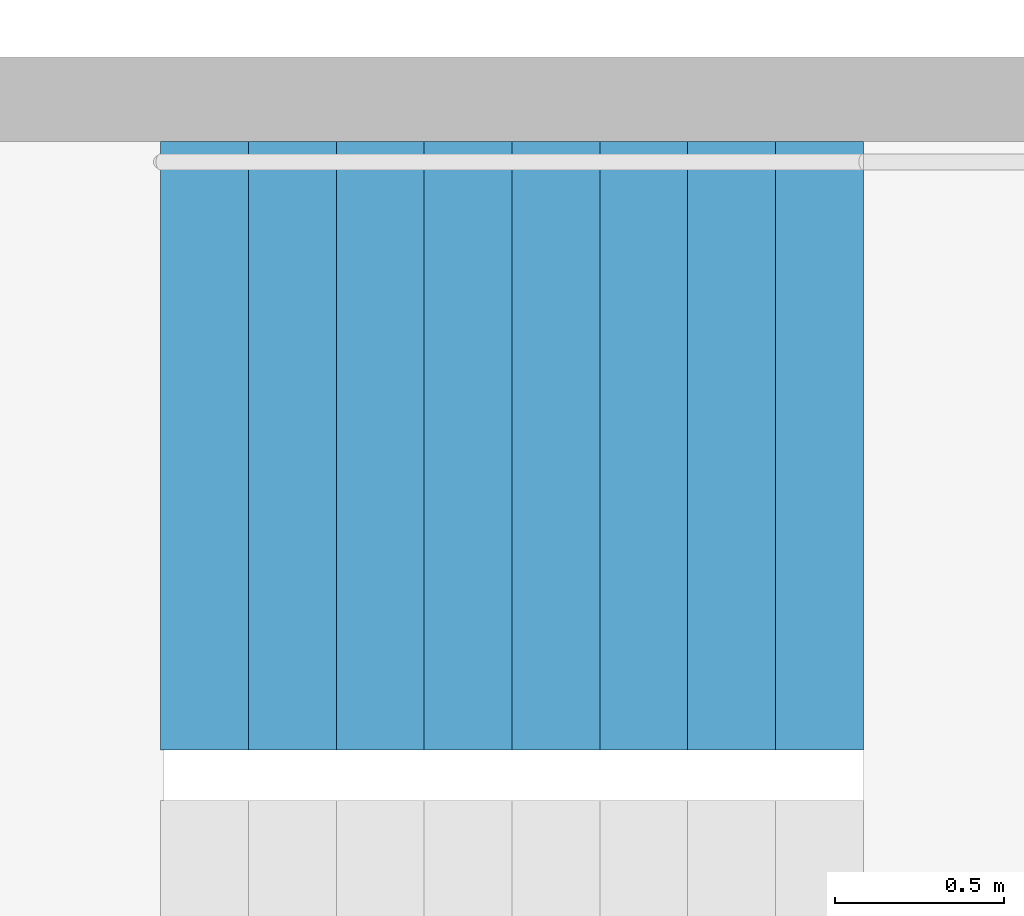
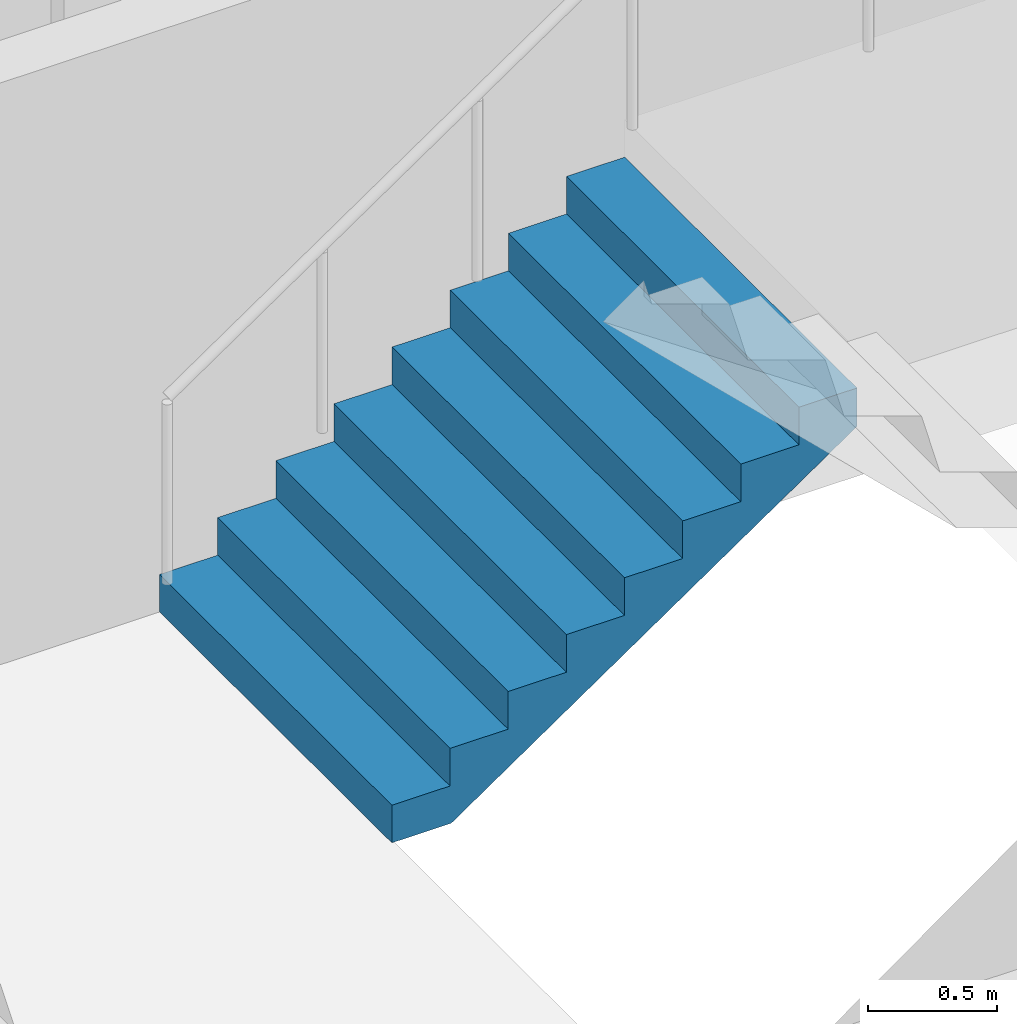
# One storey, part 23 of 26: 1 stair flight, 1 element without a shape of its own.
"""IFC4 building model written with IfcOpenShell, lengths in metres."""

from ifc_helpers import new_model, si_unit, direction, frame, origin, place, context, subcontext, project, spatial, triangles, material, type_object, element, aggregate, save


model = new_model("IFC4")

# Units and contexts
model_context = context("Model", 3, precision=1e-05, world=origin(), true_north=direction((0.0, 1.0)))
body_context = subcontext(model_context, "Body", "Model", "MODEL_VIEW")
ifc_project = project(units=[si_unit("LENGTHUNIT", "METRE"), si_unit("AREAUNIT", "SQUARE_METRE"), si_unit("VOLUMEUNIT", "CUBIC_METRE"), si_unit("PLANEANGLEUNIT", "RADIAN"), si_unit("MASSUNIT", "GRAM", prefix="KILO")], contexts=[model_context])

# Site, building, storey
site_placement = place(None, origin())
site = spatial("IfcSite", under=ifc_project, at=site_placement, CompositionType="ELEMENT")
building_placement = place(site_placement, origin())
building = spatial("IfcBuilding", under=site, at=building_placement, Name="Hakoniwa Tower and Hamabe Station Hall", CompositionType="ELEMENT")
storey_placement = place(building_placement, frame((0.0, 0.0, 131.0)))
storey = spatial("IfcBuildingStorey", under=building, at=storey_placement, Name="L36", CompositionType="ELEMENT", Elevation=131.0)

# Stair, stair flight
ifc_material_1 = material(Name="Concrete C40", Category="concrete")
stair_type = type_object("IfcStairType", Name="ESCAPE STAIR 1800", PredefinedType="HALF_TURN_STAIR", material=ifc_material_1)
stair_placement = place(storey_placement, origin())
stair = element("IfcStair", 1, at=stair_placement, inside=storey, type_object=stair_type, Name="Escape stair ST-4 L36", PredefinedType="HALF_TURN_STAIR")
ifc_material_2 = material(Name="Concrete C40", Category="concrete")
stair_flight_type = type_object("IfcStairFlightType", Name="STAIR FLIGHT 1800", PredefinedType="STRAIGHT", material=ifc_material_2)
stair_flight_placement = place(storey_placement, frame((23.39990234375, -4.64990234375, 0.0), z_axis=(0.0, 0.0, 1.0), x_axis=(1.0, 0.0, 0.0)))
stair_flight = element("IfcStairFlight", 2, at=stair_flight_placement, type_object=stair_flight_type, Name="ST-4 flight 1", NumberOfRisers=9, NumberOfTreads=8, PredefinedType="STRAIGHT", RiserHeight=0.177777778, TreadLength=0.26, context=body_context, shape_type="Tessellation", body=[
    triangles([(0.0, 0.89990234375, 0.0), (0.260009765625, 0.89990234375, 0.0), (0.265625, 0.89990234375, 0.0), (0.52001953125, 0.89990234375, 0.174072265625), (0.780029296875, 0.89990234375, 0.351806640625), (1.0400390625, 0.89990234375, 0.529541015625), (1.300048828125, 0.89990234375, 0.707275390625), (1.56005859375, 0.89990234375, 0.885009765625), (1.820068359375, 0.89990234375, 1.062744140625), (2.080078125, 0.89990234375, 1.24072265625), (2.080078125, 0.89990234375, 1.422119140625), (1.820068359375, 0.89990234375, 1.422119140625), (1.820068359375, 0.89990234375, 1.244384765625), (1.56005859375, 0.89990234375, 1.244384765625), (1.56005859375, 0.89990234375, 1.066650390625), (1.300048828125, 0.89990234375, 1.066650390625), (1.300048828125, 0.89990234375, 0.888916015625), (1.0400390625, 0.89990234375, 0.888916015625), (1.0400390625, 0.89990234375, 0.711181640625), (0.780029296875, 0.89990234375, 0.711181640625), (0.780029296875, 0.89990234375, 0.533447265625), (0.52001953125, 0.89990234375, 0.533447265625), (0.52001953125, 0.89990234375, 0.35546875), (0.265625, 0.89990234375, 0.35546875), (0.260009765625, 0.89990234375, 0.35546875), (0.260009765625, 0.89990234375, 0.177734375), (0.0, 0.89990234375, 0.177734375), (0.0, 0.06005859375, 0.0), (0.260009765625, 0.06005859375, 0.0), (0.265625, 0.06005859375, 0.0), (0.52001953125, 0.06005859375, 0.174072265625), (0.780029296875, 0.06005859375, 0.351806640625), (1.0400390625, 0.06005859375, 0.529541015625), (1.300048828125, 0.06005859375, 0.707275390625), (1.56005859375, 0.06005859375, 0.885009765625), (1.820068359375, 0.06005859375, 1.062744140625), (2.080078125, 0.06005859375, 1.24072265625), (2.080078125, 0.06005859375, 1.422119140625), (1.820068359375, 0.06005859375, 1.422119140625), (1.820068359375, 0.06005859375, 1.244384765625), (1.56005859375, 0.06005859375, 1.244384765625), (1.56005859375, 0.06005859375, 1.066650390625), (1.300048828125, 0.06005859375, 1.066650390625), (1.300048828125, 0.06005859375, 0.888916015625), (1.0400390625, 0.06005859375, 0.888916015625), (1.0400390625, 0.06005859375, 0.711181640625), (0.780029296875, 0.06005859375, 0.711181640625), (0.780029296875, 0.06005859375, 0.533447265625), (0.52001953125, 0.06005859375, 0.533447265625), (0.52001953125, 0.06005859375, 0.35546875), (0.265625, 0.06005859375, 0.35546875), (0.260009765625, 0.06005859375, 0.35546875), (0.260009765625, 0.06005859375, 0.177734375), (0.0, 0.06005859375, 0.177734375), (0.0, 0.04296875, 0.0), (0.260009765625, 0.04296875, 0.0), (0.265625, 0.04296875, 0.0), (0.52001953125, 0.04296875, 0.174072265625), (0.780029296875, 0.04296875, 0.351806640625), (1.0400390625, 0.04296875, 0.529541015625), (1.300048828125, 0.04296875, 0.707275390625), (1.56005859375, 0.04296875, 0.885009765625), (1.820068359375, 0.04296875, 1.062744140625), (2.080078125, 0.04296875, 1.24072265625), (2.080078125, 0.04296875, 1.422119140625), (1.820068359375, 0.04296875, 1.422119140625), (1.820068359375, 0.04296875, 1.244384765625), (1.56005859375, 0.04296875, 1.244384765625), (1.56005859375, 0.04296875, 1.066650390625), (1.300048828125, 0.04296875, 1.066650390625), (1.300048828125, 0.04296875, 0.888916015625), (1.0400390625, 0.04296875, 0.888916015625), (1.0400390625, 0.04296875, 0.711181640625), (0.780029296875, 0.04296875, 0.711181640625), (0.780029296875, 0.04296875, 0.533447265625), (0.52001953125, 0.04296875, 0.533447265625), (0.52001953125, 0.04296875, 0.35546875), (0.265625, 0.04296875, 0.35546875), (0.260009765625, 0.04296875, 0.35546875), (0.260009765625, 0.04296875, 0.177734375), (0.0, 0.04296875, 0.177734375), (0.0, 0.025634765625, 0.0), (0.260009765625, 0.025634765625, 0.0), (0.265625, 0.025634765625, 0.0), (0.52001953125, 0.025634765625, 0.174072265625), (0.780029296875, 0.025634765625, 0.351806640625), (1.0400390625, 0.025634765625, 0.529541015625), (1.300048828125, 0.025634765625, 0.707275390625), (1.56005859375, 0.025634765625, 0.885009765625), (1.820068359375, 0.025634765625, 1.062744140625), (2.080078125, 0.025634765625, 1.24072265625), (2.080078125, 0.025634765625, 1.422119140625), (1.820068359375, 0.025634765625, 1.422119140625), (1.820068359375, 0.025634765625, 1.244384765625), (1.56005859375, 0.025634765625, 1.244384765625), (1.56005859375, 0.025634765625, 1.066650390625), (1.300048828125, 0.025634765625, 1.066650390625), (1.300048828125, 0.025634765625, 0.888916015625), (1.0400390625, 0.025634765625, 0.888916015625), (1.0400390625, 0.025634765625, 0.711181640625), (0.780029296875, 0.025634765625, 0.711181640625), (0.780029296875, 0.025634765625, 0.533447265625), (0.52001953125, 0.025634765625, 0.533447265625), (0.52001953125, 0.025634765625, 0.35546875), (0.265625, 0.025634765625, 0.35546875), (0.260009765625, 0.025634765625, 0.35546875), (0.260009765625, 0.025634765625, 0.177734375), (0.0, 0.025634765625, 0.177734375), (0.0, 0.008544921875, 0.0), (0.260009765625, 0.008544921875, 0.0), (0.265625, 0.008544921875, 0.0), (0.52001953125, 0.008544921875, 0.174072265625), (0.780029296875, 0.008544921875, 0.351806640625), (1.0400390625, 0.008544921875, 0.529541015625), (1.300048828125, 0.008544921875, 0.707275390625), (1.56005859375, 0.008544921875, 0.885009765625), (1.820068359375, 0.008544921875, 1.062744140625), (2.080078125, 0.008544921875, 1.24072265625), (2.080078125, 0.008544921875, 1.422119140625), (1.820068359375, 0.008544921875, 1.422119140625), (1.820068359375, 0.008544921875, 1.244384765625), (1.56005859375, 0.008544921875, 1.244384765625), (1.56005859375, 0.008544921875, 1.066650390625), (1.300048828125, 0.008544921875, 1.066650390625), (1.300048828125, 0.008544921875, 0.888916015625), (1.0400390625, 0.008544921875, 0.888916015625), (1.0400390625, 0.008544921875, 0.711181640625), (0.780029296875, 0.008544921875, 0.711181640625), (0.780029296875, 0.008544921875, 0.533447265625), (0.52001953125, 0.008544921875, 0.533447265625), (0.52001953125, 0.008544921875, 0.35546875), (0.265625, 0.008544921875, 0.35546875), (0.260009765625, 0.008544921875, 0.35546875), (0.260009765625, 0.008544921875, 0.177734375), (0.0, 0.008544921875, 0.177734375), (0.0, -0.008544921875, 0.0), (0.260009765625, -0.008544921875, 0.0), (0.265625, -0.008544921875, 0.0), (0.52001953125, -0.008544921875, 0.174072265625), (0.780029296875, -0.008544921875, 0.351806640625), (1.0400390625, -0.008544921875, 0.529541015625), (1.300048828125, -0.008544921875, 0.707275390625), (1.56005859375, -0.008544921875, 0.885009765625), (1.820068359375, -0.008544921875, 1.062744140625), (2.080078125, -0.008544921875, 1.24072265625), (2.080078125, -0.008544921875, 1.422119140625), (1.820068359375, -0.008544921875, 1.422119140625), (1.820068359375, -0.008544921875, 1.244384765625), (1.56005859375, -0.008544921875, 1.244384765625), (1.56005859375, -0.008544921875, 1.066650390625), (1.300048828125, -0.008544921875, 1.066650390625), (1.300048828125, -0.008544921875, 0.888916015625), (1.0400390625, -0.008544921875, 0.888916015625), (1.0400390625, -0.008544921875, 0.711181640625), (0.780029296875, -0.008544921875, 0.711181640625), (0.780029296875, -0.008544921875, 0.533447265625), (0.52001953125, -0.008544921875, 0.533447265625), (0.52001953125, -0.008544921875, 0.35546875), (0.265625, -0.008544921875, 0.35546875), (0.260009765625, -0.008544921875, 0.35546875), (0.260009765625, -0.008544921875, 0.177734375), (0.0, -0.008544921875, 0.177734375), (0.0, -0.025634765625, 0.0), (0.260009765625, -0.025634765625, 0.0), (0.265625, -0.025634765625, 0.0), (0.52001953125, -0.025634765625, 0.174072265625), (0.780029296875, -0.025634765625, 0.351806640625), (1.0400390625, -0.025634765625, 0.529541015625), (1.300048828125, -0.025634765625, 0.707275390625), (1.56005859375, -0.025634765625, 0.885009765625), (1.820068359375, -0.025634765625, 1.062744140625), (2.080078125, -0.025634765625, 1.24072265625), (2.080078125, -0.025634765625, 1.422119140625), (1.820068359375, -0.025634765625, 1.422119140625), (1.820068359375, -0.025634765625, 1.244384765625), (1.56005859375, -0.025634765625, 1.244384765625), (1.56005859375, -0.025634765625, 1.066650390625), (1.300048828125, -0.025634765625, 1.066650390625), (1.300048828125, -0.025634765625, 0.888916015625), (1.0400390625, -0.025634765625, 0.888916015625), (1.0400390625, -0.025634765625, 0.711181640625), (0.780029296875, -0.025634765625, 0.711181640625), (0.780029296875, -0.025634765625, 0.533447265625), (0.52001953125, -0.025634765625, 0.533447265625), (0.52001953125, -0.025634765625, 0.35546875), (0.265625, -0.025634765625, 0.35546875), (0.260009765625, -0.025634765625, 0.35546875), (0.260009765625, -0.025634765625, 0.177734375), (0.0, -0.025634765625, 0.177734375), (0.0, -0.04296875, 0.0), (0.260009765625, -0.04296875, 0.0), (0.265625, -0.04296875, 0.0), (0.52001953125, -0.04296875, 0.174072265625), (0.780029296875, -0.04296875, 0.351806640625), (1.0400390625, -0.04296875, 0.529541015625), (1.300048828125, -0.04296875, 0.707275390625), (1.56005859375, -0.04296875, 0.885009765625), (1.820068359375, -0.04296875, 1.062744140625), (2.080078125, -0.04296875, 1.24072265625), (2.080078125, -0.04296875, 1.422119140625), (1.820068359375, -0.04296875, 1.422119140625), (1.820068359375, -0.04296875, 1.244384765625), (1.56005859375, -0.04296875, 1.244384765625), (1.56005859375, -0.04296875, 1.066650390625), (1.300048828125, -0.04296875, 1.066650390625), (1.300048828125, -0.04296875, 0.888916015625), (1.0400390625, -0.04296875, 0.888916015625), (1.0400390625, -0.04296875, 0.711181640625), (0.780029296875, -0.04296875, 0.711181640625), (0.780029296875, -0.04296875, 0.533447265625), (0.52001953125, -0.04296875, 0.533447265625), (0.52001953125, -0.04296875, 0.35546875), (0.265625, -0.04296875, 0.35546875), (0.260009765625, -0.04296875, 0.35546875), (0.260009765625, -0.04296875, 0.177734375), (0.0, -0.04296875, 0.177734375), (0.0, -0.06005859375, 0.0), (0.260009765625, -0.06005859375, 0.0), (0.265625, -0.06005859375, 0.0), (0.52001953125, -0.06005859375, 0.174072265625), (0.780029296875, -0.06005859375, 0.351806640625), (1.0400390625, -0.06005859375, 0.529541015625), (1.300048828125, -0.06005859375, 0.707275390625), (1.56005859375, -0.06005859375, 0.885009765625), (1.820068359375, -0.06005859375, 1.062744140625), (2.080078125, -0.06005859375, 1.24072265625), (2.080078125, -0.06005859375, 1.422119140625), (1.820068359375, -0.06005859375, 1.422119140625), (1.820068359375, -0.06005859375, 1.244384765625), (1.56005859375, -0.06005859375, 1.244384765625), (1.56005859375, -0.06005859375, 1.066650390625), (1.300048828125, -0.06005859375, 1.066650390625), (1.300048828125, -0.06005859375, 0.888916015625), (1.0400390625, -0.06005859375, 0.888916015625), (1.0400390625, -0.06005859375, 0.711181640625), (0.780029296875, -0.06005859375, 0.711181640625), (0.780029296875, -0.06005859375, 0.533447265625), (0.52001953125, -0.06005859375, 0.533447265625), (0.52001953125, -0.06005859375, 0.35546875), (0.265625, -0.06005859375, 0.35546875), (0.260009765625, -0.06005859375, 0.35546875), (0.260009765625, -0.06005859375, 0.177734375), (0.0, -0.06005859375, 0.177734375), (0.0, -0.89990234375, 0.0), (0.260009765625, -0.89990234375, 0.0), (0.265625, -0.89990234375, 0.0), (0.52001953125, -0.89990234375, 0.174072265625), (0.780029296875, -0.89990234375, 0.351806640625), (1.0400390625, -0.89990234375, 0.529541015625), (1.300048828125, -0.89990234375, 0.707275390625), (1.56005859375, -0.89990234375, 0.885009765625), (1.820068359375, -0.89990234375, 1.062744140625), (2.080078125, -0.89990234375, 1.24072265625), (2.080078125, -0.89990234375, 1.422119140625), (1.820068359375, -0.89990234375, 1.422119140625), (1.820068359375, -0.89990234375, 1.244384765625), (1.56005859375, -0.89990234375, 1.244384765625), (1.56005859375, -0.89990234375, 1.066650390625), (1.300048828125, -0.89990234375, 1.066650390625), (1.300048828125, -0.89990234375, 0.888916015625), (1.0400390625, -0.89990234375, 0.888916015625), (1.0400390625, -0.89990234375, 0.711181640625), (0.780029296875, -0.89990234375, 0.711181640625), (0.780029296875, -0.89990234375, 0.533447265625), (0.52001953125, -0.89990234375, 0.533447265625), (0.52001953125, -0.89990234375, 0.35546875), (0.265625, -0.89990234375, 0.35546875), (0.260009765625, -0.89990234375, 0.35546875), (0.260009765625, -0.89990234375, 0.177734375), (0.0, -0.89990234375, 0.177734375)], [[2, 27, 26], [245, 269, 270], [2, 1, 27], [245, 270, 244], [3, 25, 24], [246, 267, 268], [3, 26, 25], [246, 268, 269], [3, 2, 26], [246, 269, 245], [4, 24, 23], [247, 266, 267], [4, 3, 24], [247, 267, 246], [5, 22, 21], [248, 264, 265], [5, 23, 22], [248, 265, 266], [5, 4, 23], [248, 266, 247], [6, 20, 19], [249, 262, 263], [6, 21, 20], [249, 263, 264], [6, 5, 21], [249, 264, 248], [7, 18, 17], [250, 260, 261], [7, 19, 18], [250, 261, 262], [7, 6, 19], [250, 262, 249], [8, 16, 15], [251, 258, 259], [8, 17, 16], [251, 259, 260], [8, 7, 17], [251, 260, 250], [9, 14, 13], [252, 256, 257], [9, 15, 14], [252, 257, 258], [9, 8, 15], [252, 258, 251], [10, 12, 11], [253, 254, 255], [10, 13, 12], [253, 255, 256], [10, 9, 13], [253, 256, 252], [1, 2, 29], [1, 29, 28], [28, 29, 56], [28, 56, 55], [55, 56, 83], [55, 83, 82], [82, 83, 110], [82, 110, 109], [109, 110, 137], [109, 137, 136], [136, 137, 164], [136, 164, 163], [163, 164, 191], [163, 191, 190], [190, 191, 218], [190, 218, 217], [217, 218, 245], [217, 245, 244], [2, 3, 30], [2, 30, 29], [29, 30, 57], [29, 57, 56], [56, 57, 84], [56, 84, 83], [83, 84, 111], [83, 111, 110], [110, 111, 138], [110, 138, 137], [137, 138, 165], [137, 165, 164], [164, 165, 192], [164, 192, 191], [191, 192, 219], [191, 219, 218], [218, 219, 246], [218, 246, 245], [3, 4, 31], [3, 31, 30], [30, 31, 58], [30, 58, 57], [57, 58, 85], [57, 85, 84], [84, 85, 112], [84, 112, 111], [111, 112, 139], [111, 139, 138], [138, 139, 166], [138, 166, 165], [165, 166, 193], [165, 193, 192], [192, 193, 220], [192, 220, 219], [219, 220, 247], [219, 247, 246], [4, 5, 32], [4, 32, 31], [31, 32, 59], [31, 59, 58], [58, 59, 86], [58, 86, 85], [85, 86, 113], [85, 113, 112], [112, 113, 140], [112, 140, 139], [139, 140, 167], [139, 167, 166], [166, 167, 194], [166, 194, 193], [193, 194, 221], [193, 221, 220], [220, 221, 248], [220, 248, 247], [5, 6, 33], [5, 33, 32], [32, 33, 60], [32, 60, 59], [59, 60, 87], [59, 87, 86], [86, 87, 114], [86, 114, 113], [113, 114, 141], [113, 141, 140], [140, 141, 168], [140, 168, 167], [167, 168, 195], [167, 195, 194], [194, 195, 222], [194, 222, 221], [221, 222, 249], [221, 249, 248], [6, 7, 34], [6, 34, 33], [33, 34, 61], [33, 61, 60], [60, 61, 88], [60, 88, 87], [87, 88, 115], [87, 115, 114], [114, 115, 142], [114, 142, 141], [141, 142, 169], [141, 169, 168], [168, 169, 196], [168, 196, 195], [195, 196, 223], [195, 223, 222], [222, 223, 250], [222, 250, 249], [7, 8, 35], [7, 35, 34], [34, 35, 62], [34, 62, 61], [61, 62, 89], [61, 89, 88], [88, 89, 116], [88, 116, 115], [115, 116, 143], [115, 143, 142], [142, 143, 170], [142, 170, 169], [169, 170, 197], [169, 197, 196], [196, 197, 224], [196, 224, 223], [223, 224, 251], [223, 251, 250], [8, 9, 36], [8, 36, 35], [35, 36, 63], [35, 63, 62], [62, 63, 90], [62, 90, 89], [89, 90, 117], [89, 117, 116], [116, 117, 144], [116, 144, 143], [143, 144, 171], [143, 171, 170], [170, 171, 198], [170, 198, 197], [197, 198, 225], [197, 225, 224], [224, 225, 252], [224, 252, 251], [9, 10, 37], [9, 37, 36], [36, 37, 64], [36, 64, 63], [63, 64, 91], [63, 91, 90], [90, 91, 118], [90, 118, 117], [117, 118, 145], [117, 145, 144], [144, 145, 172], [144, 172, 171], [171, 172, 199], [171, 199, 198], [198, 199, 226], [198, 226, 225], [225, 226, 253], [225, 253, 252], [10, 11, 38], [10, 38, 37], [37, 38, 65], [37, 65, 64], [64, 65, 92], [64, 92, 91], [91, 92, 119], [91, 119, 118], [118, 119, 146], [118, 146, 145], [145, 146, 173], [145, 173, 172], [172, 173, 200], [172, 200, 199], [199, 200, 227], [199, 227, 226], [226, 227, 254], [226, 254, 253], [11, 12, 39], [11, 39, 38], [38, 39, 66], [38, 66, 65], [65, 66, 93], [65, 93, 92], [92, 93, 120], [92, 120, 119], [119, 120, 147], [119, 147, 146], [146, 147, 174], [146, 174, 173], [173, 174, 201], [173, 201, 200], [200, 201, 228], [200, 228, 227], [227, 228, 255], [227, 255, 254], [12, 13, 40], [12, 40, 39], [39, 40, 67], [39, 67, 66], [66, 67, 94], [66, 94, 93], [93, 94, 121], [93, 121, 120], [120, 121, 148], [120, 148, 147], [147, 148, 175], [147, 175, 174], [174, 175, 202], [174, 202, 201], [201, 202, 229], [201, 229, 228], [228, 229, 256], [228, 256, 255], [13, 14, 41], [13, 41, 40], [40, 41, 68], [40, 68, 67], [67, 68, 95], [67, 95, 94], [94, 95, 122], [94, 122, 121], [121, 122, 149], [121, 149, 148], [148, 149, 176], [148, 176, 175], [175, 176, 203], [175, 203, 202], [202, 203, 230], [202, 230, 229], [229, 230, 257], [229, 257, 256], [14, 15, 42], [14, 42, 41], [41, 42, 69], [41, 69, 68], [68, 69, 96], [68, 96, 95], [95, 96, 123], [95, 123, 122], [122, 123, 150], [122, 150, 149], [149, 150, 177], [149, 177, 176], [176, 177, 204], [176, 204, 203], [203, 204, 231], [203, 231, 230], [230, 231, 258], [230, 258, 257], [15, 16, 43], [15, 43, 42], [42, 43, 70], [42, 70, 69], [69, 70, 97], [69, 97, 96], [96, 97, 124], [96, 124, 123], [123, 124, 151], [123, 151, 150], [150, 151, 178], [150, 178, 177], [177, 178, 205], [177, 205, 204], [204, 205, 232], [204, 232, 231], [231, 232, 259], [231, 259, 258], [16, 17, 44], [16, 44, 43], [43, 44, 71], [43, 71, 70], [70, 71, 98], [70, 98, 97], [97, 98, 125], [97, 125, 124], [124, 125, 152], [124, 152, 151], [151, 152, 179], [151, 179, 178], [178, 179, 206], [178, 206, 205], [205, 206, 233], [205, 233, 232], [232, 233, 260], [232, 260, 259], [17, 18, 45], [17, 45, 44], [44, 45, 72], [44, 72, 71], [71, 72, 99], [71, 99, 98], [98, 99, 126], [98, 126, 125], [125, 126, 153], [125, 153, 152], [152, 153, 180], [152, 180, 179], [179, 180, 207], [179, 207, 206], [206, 207, 234], [206, 234, 233], [233, 234, 261], [233, 261, 260], [18, 19, 46], [18, 46, 45], [45, 46, 73], [45, 73, 72], [72, 73, 100], [72, 100, 99], [99, 100, 127], [99, 127, 126], [126, 127, 154], [126, 154, 153], [153, 154, 181], [153, 181, 180], [180, 181, 208], [180, 208, 207], [207, 208, 235], [207, 235, 234], [234, 235, 262], [234, 262, 261], [19, 20, 47], [19, 47, 46], [46, 47, 74], [46, 74, 73], [73, 74, 101], [73, 101, 100], [100, 101, 128], [100, 128, 127], [127, 128, 155], [127, 155, 154], [154, 155, 182], [154, 182, 181], [181, 182, 209], [181, 209, 208], [208, 209, 236], [208, 236, 235], [235, 236, 263], [235, 263, 262], [20, 21, 48], [20, 48, 47], [47, 48, 75], [47, 75, 74], [74, 75, 102], [74, 102, 101], [101, 102, 129], [101, 129, 128], [128, 129, 156], [128, 156, 155], [155, 156, 183], [155, 183, 182], [182, 183, 210], [182, 210, 209], [209, 210, 237], [209, 237, 236], [236, 237, 264], [236, 264, 263], [21, 22, 49], [21, 49, 48], [48, 49, 76], [48, 76, 75], [75, 76, 103], [75, 103, 102], [102, 103, 130], [102, 130, 129], [129, 130, 157], [129, 157, 156], [156, 157, 184], [156, 184, 183], [183, 184, 211], [183, 211, 210], [210, 211, 238], [210, 238, 237], [237, 238, 265], [237, 265, 264], [22, 23, 50], [22, 50, 49], [49, 50, 77], [49, 77, 76], [76, 77, 104], [76, 104, 103], [103, 104, 131], [103, 131, 130], [130, 131, 158], [130, 158, 157], [157, 158, 185], [157, 185, 184], [184, 185, 212], [184, 212, 211], [211, 212, 239], [211, 239, 238], [238, 239, 266], [238, 266, 265], [23, 24, 51], [23, 51, 50], [50, 51, 78], [50, 78, 77], [77, 78, 105], [77, 105, 104], [104, 105, 132], [104, 132, 131], [131, 132, 159], [131, 159, 158], [158, 159, 186], [158, 186, 185], [185, 186, 213], [185, 213, 212], [212, 213, 240], [212, 240, 239], [239, 240, 267], [239, 267, 266], [24, 25, 52], [24, 52, 51], [51, 52, 79], [51, 79, 78], [78, 79, 106], [78, 106, 105], [105, 106, 133], [105, 133, 132], [132, 133, 160], [132, 160, 159], [159, 160, 187], [159, 187, 186], [186, 187, 214], [186, 214, 213], [213, 214, 241], [213, 241, 240], [240, 241, 268], [240, 268, 267], [25, 26, 53], [25, 53, 52], [52, 53, 80], [52, 80, 79], [79, 80, 107], [79, 107, 106], [106, 107, 134], [106, 134, 133], [133, 134, 161], [133, 161, 160], [160, 161, 188], [160, 188, 187], [187, 188, 215], [187, 215, 214], [214, 215, 242], [214, 242, 241], [241, 242, 269], [241, 269, 268], [26, 27, 54], [26, 54, 53], [53, 54, 81], [53, 81, 80], [80, 81, 108], [80, 108, 107], [107, 108, 135], [107, 135, 134], [134, 135, 162], [134, 162, 161], [161, 162, 189], [161, 189, 188], [188, 189, 216], [188, 216, 215], [215, 216, 243], [215, 243, 242], [242, 243, 270], [242, 270, 269], [27, 1, 28], [27, 28, 54], [54, 28, 55], [54, 55, 81], [81, 55, 82], [81, 82, 108], [108, 82, 109], [108, 109, 135], [135, 109, 136], [135, 136, 162], [162, 136, 163], [162, 163, 189], [189, 163, 190], [189, 190, 216], [216, 190, 217], [216, 217, 243], [243, 217, 244], [243, 244, 270]], closed=True),
])
aggregate(stair, [stair_flight])

save(model, "model.ifc")
